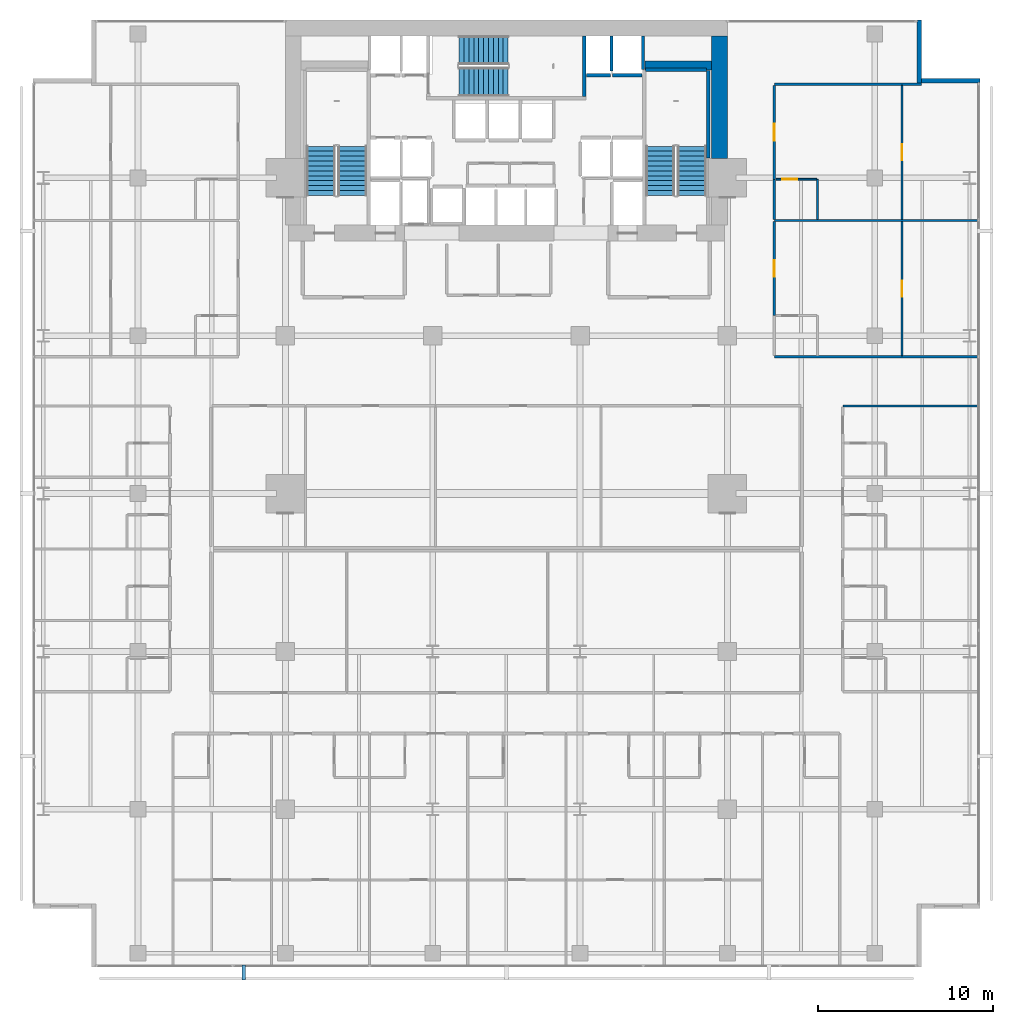
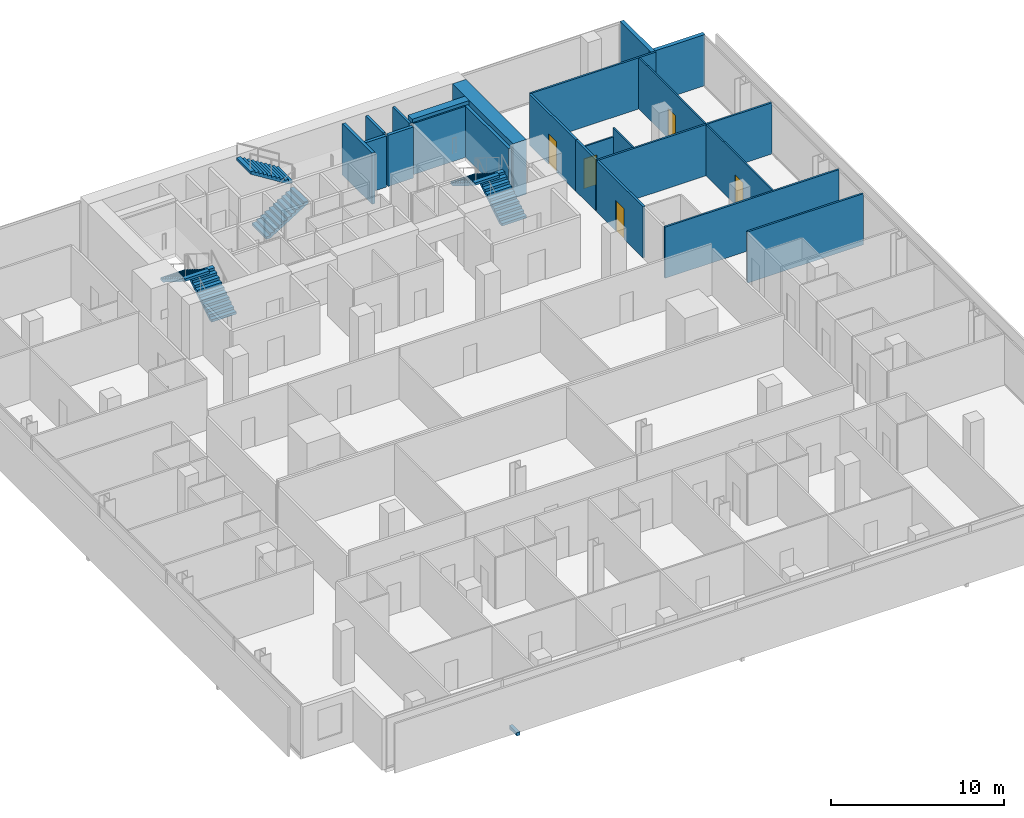
# One storey, part 38 of 41: 22 walls, 6 stair flights, 5 doors, 1 discrete accessory, 5 openings, 3 elements without a shape of their own.
"""IFC4 building model written with IfcOpenShell, lengths in metres."""

from ifc_helpers import new_model, si_unit, direction, frame, frame_2d, origin, origin_2d, place, context, subcontext, project, spatial, polyline, rectangle, outline, extrude, material, layer, layer_set, type_object, element, fill, aggregate, save


model = new_model("IFC4")

# Units and contexts
model_context = context("Model", 3, precision=1e-05, world=origin(), true_north=direction((0.0, 1.0)))
body_context = subcontext(model_context, "Body", "Model", "MODEL_VIEW")
ifc_project = project(units=[si_unit("LENGTHUNIT", "METRE"), si_unit("AREAUNIT", "SQUARE_METRE"), si_unit("VOLUMEUNIT", "CUBIC_METRE"), si_unit("PLANEANGLEUNIT", "RADIAN"), si_unit("MASSUNIT", "GRAM", prefix="KILO")], contexts=[model_context])

# Site, building, storey
site_placement = place(None, origin())
site = spatial("IfcSite", under=ifc_project, at=site_placement, CompositionType="ELEMENT")
building_placement = place(site_placement, origin())
building = spatial("IfcBuilding", under=site, at=building_placement, Name="Maruvema Waterfront Hotel and Observation Tower", CompositionType="ELEMENT")
storey_placement = place(building_placement, frame((0.0, 0.0, 61.60009765625)))
storey = spatial("IfcBuildingStorey", under=building, at=storey_placement, Name="L14", CompositionType="ELEMENT", Elevation=61.60009765625)

# Wall, opening, door
ifc_material_1 = material(Name="Twin-stud acoustic gypsum drywall", Category="gypsum")
ifc_layer_1 = layer(ifc_material_1, 0.14990234375, Name="Acoustic Corridor and Suite Demising Wall 150 mm")
ifc_layer_set_1 = layer_set([ifc_layer_1], Name="Twin-stud acoustic gypsum drywall")
wall_type_1 = type_object("IfcWallType", Name="Acoustic Corridor and Suite Demising Wall 150 mm", PredefinedType="PARTITIONING", material=ifc_layer_set_1)
wall_1_placement = place(storey_placement, frame((53.080078125, 37.14990234375, 0.0), z_axis=(0.0, 0.0, 1.0), x_axis=(0.0, 1.0, 0.0)))
wall_1 = element("IfcWall", 1, at=wall_1_placement, inside=storey, type_object=wall_type_1, Name="L14 Room L14-NE1 Corridor Wall 134", PredefinedType="PARTITIONING", context=body_context, shape_type="SweptSolid", body=[
    extrude(rectangle(XDim=5.35888671875, YDim=0.14990234375, at=frame_2d((2.679443359375, 0.0))), origin(), (0.0, 0.0, 1.0), 3.60986328125),
])
opening_1_placement = place(wall_1_placement, frame((2.204345703125, 0.0, 0.0)))
opening_1 = element("IfcOpeningElement", 2, at=opening_1_placement, cuts=wall_1, Name="Opening DR-095", PredefinedType="OPENING", context=body_context, shape_type="SweptSolid", body=[
    extrude(rectangle(XDim=0.949951171875, YDim=2.14990234375, at=frame_2d((0.47509765625, 1.074951171875))), frame((0.0, 0.0849609375, 0.0), z_axis=(0.0, -1.0, 0.0), x_axis=(1.0, 0.0, 0.0)), (0.0, 0.0, 1.0), 0.169921875),
])
ifc_material_2 = material(Name="Acoustic solid-core hardwood timber leaf", Category="wood")
door_type_1 = type_object("IfcDoorType", Name="Guestroom Entrance Fire Door 950x2150 mm", OperationType="NOTDEFINED", PredefinedType="DOOR", material=ifc_material_2)
door_1_placement = place(opening_1_placement, frame((0.949951171875, 0.0, 0.0), z_axis=(0.0, 0.0, 1.0), x_axis=(-1.0, 0.0, 0.0)))
door_1 = element("IfcDoor", 3, at=door_1_placement, inside=storey, type_object=door_type_1, Name="L14 Room L14-NE1 Entrance Door", OperationType="SINGLE_SWING_LEFT", OverallHeight=2.14990234375, OverallWidth=0.949951171875, PredefinedType="DOOR", context=body_context, shape_type="SweptSolid", body=[
    extrude(rectangle(XDim=0.949951171875, YDim=2.14990234375, at=frame_2d((0.47509765625, 1.074951171875))), frame((0.0, 0.02490234375, 0.0), z_axis=(0.0, -1.0, 0.0), x_axis=(1.0, 0.0, 0.0)), (0.0, 0.0, 1.0), 0.050048828125),
])
fill(opening_1, door_1)

# Wall
wall_2_placement = place(storey_placement, frame((53.080078125, 42.628662109375, 0.0), z_axis=(0.0, 0.0, 1.0), x_axis=(0.0, 1.0, 0.0)))
element("IfcWall", 4, at=wall_2_placement, inside=storey, type_object=wall_type_1, Name="L14 Bath L14-NE2 Wall 145", PredefinedType="PARTITIONING", context=body_context, shape_type="SweptSolid", body=[
    extrude(rectangle(XDim=2.2900390625, YDim=0.14990234375, at=frame_2d((1.14501953125, 0.0))), origin(), (0.0, 0.0, 1.0), 3.60986328125),
])

# Wall, opening, door
wall_3_placement = place(storey_placement, frame((53.080078125, 44.918701171875, 0.0), z_axis=(0.0, 0.0, 1.0), x_axis=(0.0, 1.0, 0.0)))
wall_3 = element("IfcWall", 5, at=wall_3_placement, inside=storey, type_object=wall_type_1, Name="L14 Room L14-NE2 Corridor Wall 146", PredefinedType="PARTITIONING", context=body_context, shape_type="SweptSolid", body=[
    extrude(rectangle(XDim=5.35888671875, YDim=0.14990234375, at=frame_2d((2.679443359375, 0.0))), origin(), (0.0, 0.0, 1.0), 3.60986328125),
])
opening_2_placement = place(wall_3_placement, frame((2.204345703125, 0.0, 0.0)))
opening_2 = element("IfcOpeningElement", 6, at=opening_2_placement, cuts=wall_3, Name="Opening DR-095", PredefinedType="OPENING", context=body_context, shape_type="SweptSolid", body=[
    extrude(rectangle(XDim=0.949951171875, YDim=2.14990234375, at=frame_2d((0.47509765625, 1.074951171875))), frame((0.0, 0.0849609375, 0.0), z_axis=(0.0, -1.0, 0.0), x_axis=(1.0, 0.0, 0.0)), (0.0, 0.0, 1.0), 0.169921875),
])
door_2_placement = place(opening_2_placement, frame((0.949951171875, 0.0, 0.0), z_axis=(0.0, 0.0, 1.0), x_axis=(-1.0, 0.0, 0.0)))
door_2 = element("IfcDoor", 7, at=door_2_placement, inside=storey, type_object=door_type_1, Name="L14 Room L14-NE2 Entrance Door", OperationType="SINGLE_SWING_LEFT", OverallHeight=2.14990234375, OverallWidth=0.949951171875, PredefinedType="DOOR", context=body_context, shape_type="SweptSolid", body=[
    extrude(rectangle(XDim=0.949951171875, YDim=2.14990234375, at=frame_2d((0.47509765625, 1.074951171875))), frame((0.0, 0.02490234375, 0.0), z_axis=(0.0, -1.0, 0.0), x_axis=(1.0, 0.0, 0.0)), (0.0, 0.0, 1.0), 0.050048828125),
])
fill(opening_2, door_2)

# Walls
ifc_material_3 = material(Name="Precast concrete C45/55", Category="concrete")
ifc_layer_2 = layer(ifc_material_3, 0.199951171875, Name="Core Shaft and Stairwell Enclosure Wall 200 mm")
ifc_layer_set_2 = layer_set([ifc_layer_2], Name="Precast concrete C45/55")
wall_type_2 = type_object("IfcWallType", Name="Core Shaft and Stairwell Enclosure Wall 200 mm", PredefinedType="SOLIDWALL", material=ifc_layer_set_2)
wall_4_placement = place(storey_placement, frame((42.25, 49.64990234375, 0.0), z_axis=(0.0, 0.0, 1.0), x_axis=(0.0, 1.0, 0.0)))
element("IfcWall", 8, at=wall_4_placement, inside=storey, type_object=wall_type_2, Name="L14 Stairwell ST-02 Shaft Wall", PredefinedType="SOLIDWALL", context=body_context, shape_type="SweptSolid", body=[
    extrude(rectangle(XDim=3.4501953125, YDim=0.199951171875, at=frame_2d((1.72509765625, 0.0))), origin(), (0.0, 0.0, 1.0), 3.60986328125),
])
wall_5_placement = place(storey_placement, frame((49.300048828125, 46.1201171875, 0.0), z_axis=(0.0, 0.0, 1.0), x_axis=(0.0, 1.0, 0.0)))
element("IfcWall", 9, at=wall_5_placement, inside=storey, type_object=wall_type_2, Name="L14 Stairwell ST-03 Shaft Lining Wall", PredefinedType="SOLIDWALL", context=body_context, shape_type="SweptSolid", body=[
    extrude(rectangle(XDim=5.0, YDim=0.199951171875, at=frame_2d((2.5, 0.0))), origin(), (0.0, 0.0, 1.0), 3.60986328125),
])
wall_6_placement = place(storey_placement, frame((45.719970703125, 51.14990234375, 0.0), z_axis=(0.0, 0.0, 1.0), x_axis=(1.0, 0.0, 0.0)))
element("IfcWall", 10, at=wall_6_placement, inside=storey, type_object=wall_type_2, Name="L14 Stairwell ST-03 Shaft Lining Wall", PredefinedType="SOLIDWALL", context=body_context, shape_type="SweptSolid", body=[
    extrude(rectangle(XDim=3.5, YDim=0.199951171875, at=frame_2d((1.75, 0.0))), origin(), (0.0, 0.0, 1.0), 3.60986328125),
])
wall_7_placement = place(storey_placement, frame((42.360107421875, 50.85009765625, 0.0), z_axis=(0.0, 0.0, 1.0), x_axis=(1.0, 0.0, 0.0)))
element("IfcWall", 11, at=wall_7_placement, inside=storey, type_object=wall_type_2, Name="L14 Lift LF-07 Hoistway Front Wall", PredefinedType="SOLIDWALL", context=body_context, shape_type="SweptSolid", body=[
    extrude(rectangle(XDim=1.3798828125, YDim=0.199951171875, at=frame_2d((0.68994140625, 0.0))), origin(), (0.0, 0.0, 1.0), 3.60986328125),
])
wall_8_placement = place(storey_placement, frame((43.860107421875, 50.85009765625, 0.0), z_axis=(0.0, 0.0, 1.0), x_axis=(1.0, 0.0, 0.0)))
element("IfcWall", 12, at=wall_8_placement, inside=storey, type_object=wall_type_2, Name="L14 Lift LF-08 Hoistway Front Wall", PredefinedType="SOLIDWALL", context=body_context, shape_type="SweptSolid", body=[
    extrude(rectangle(XDim=1.679931640625, YDim=0.199951171875, at=frame_2d((0.83984375, 0.0))), origin(), (0.0, 0.0, 1.0), 3.60986328125),
])
ifc_material_4 = material(Name="Concrete C70/85", Category="concrete")
ifc_layer_3 = layer(ifc_material_4, 0.5, Name="Core Shear Wall 500 mm")
ifc_layer_set_3 = layer_set([ifc_layer_3], Name="Concrete C70/85")
wall_type_3 = type_object("IfcWallType", Name="Core Shear Wall 500 mm", PredefinedType="SHEAR", material=ifc_layer_set_3)
wall_9_placement = place(storey_placement, frame((45.699951171875, 51.39990234375, 0.0), z_axis=(0.0, 0.0, 1.0), x_axis=(1.0, 0.0, 0.0)))
element("IfcWall", 13, at=wall_9_placement, inside=storey, type_object=wall_type_3, Name="L14 Internal Core Shear Wall NE 500 mm", PredefinedType="SHEAR", context=body_context, shape_type="SweptSolid", body=[
    extrude(rectangle(XDim=3.800048828125, YDim=0.5, at=frame_2d((1.89990234375, 0.0))), origin(), (0.0, 0.0, 1.0), 3.849853515625),
])
ifc_material_5 = material(Name="Concrete C80/95", Category="concrete")
ifc_layer_4 = layer(ifc_material_5, 0.89990234375, Name="Core Shear Wall 900 mm")
ifc_layer_set_4 = layer_set([ifc_layer_4], Name="Concrete C80/95")
wall_type_4 = type_object("IfcWallType", Name="Core Shear Wall 900 mm", PredefinedType="SHEAR", material=ifc_layer_set_4)
wall_10_placement = place(storey_placement, frame((49.949951171875, 46.10009765625, 0.0), z_axis=(0.0, 0.0, 1.0), x_axis=(0.0, 1.0, 0.0)))
element("IfcWall", 14, at=wall_10_placement, inside=storey, type_object=wall_type_4, Name="L14 East-North Core Shear Wall", PredefinedType="SHEAR", context=body_context, shape_type="SweptSolid", body=[
    extrude(rectangle(XDim=7.0, YDim=0.89990234375, at=frame_2d((3.5, 0.0))), origin(), (0.0, 0.0, 1.0), 3.849853515625),
])

# Wall, opening, door
ifc_material_6 = material(Name="Moisture-resistant cement-board drywall", Category="gypsum")
ifc_layer_5 = layer(ifc_material_6, 0.10009765625, Name="En-Suite Moisture-Resistant Partition 100 mm")
ifc_layer_set_5 = layer_set([ifc_layer_5], Name="Moisture-resistant cement-board drywall")
wall_type_5 = type_object("IfcWallType", Name="En-Suite Moisture-Resistant Partition 100 mm", PredefinedType="PARTITIONING", material=ifc_layer_set_5)
wall_11_placement = place(storey_placement, frame((60.350341796875, 34.860107421875, 0.0), z_axis=(0.0, 0.0, 1.0), x_axis=(0.0, 1.0, 0.0)))
wall_11 = element("IfcWall", 15, at=wall_11_placement, inside=storey, type_object=wall_type_5, Name="L14 Suite L14-NE1 Split 137", PredefinedType="PARTITIONING", context=body_context, shape_type="SweptSolid", body=[
    extrude(rectangle(XDim=7.648681640625, YDim=0.10009765625, at=frame_2d((3.82421875, 0.0))), origin(), (0.0, 0.0, 1.0), 3.60986328125),
])
opening_3_placement = place(wall_11_placement, frame((3.374267578125, 0.0, 0.0)))
opening_3 = element("IfcOpeningElement", 16, at=opening_3_placement, cuts=wall_11, Name="Opening DR-090", PredefinedType="OPENING", context=body_context, shape_type="SweptSolid", body=[
    extrude(rectangle(XDim=0.89990234375, YDim=2.10009765625, at=frame_2d((0.449951171875, 1.050048828125))), frame((0.0, 0.06005859375, 0.0), z_axis=(0.0, -1.0, 0.0), x_axis=(1.0, 0.0, 0.0)), (0.0, 0.0, 1.0), 0.1201171875),
])
ifc_material_7 = material(Name="Solid-core lacquered timber leaf", Category="wood")
door_type_2 = type_object("IfcDoorType", Name="Accessible Toilet and Room Door 900x2100 mm", OperationType="NOTDEFINED", PredefinedType="DOOR", material=ifc_material_7)
door_3_placement = place(opening_3_placement, frame((0.89990234375, 0.0, 0.0), z_axis=(0.0, 0.0, 1.0), x_axis=(-1.0, 0.0, 0.0)))
door_3 = element("IfcDoor", 17, at=door_3_placement, inside=storey, type_object=door_type_2, Name="L14 Suite L14-NE1 Bedroom Door", OperationType="SINGLE_SWING_RIGHT", OverallHeight=2.10009765625, OverallWidth=0.89990234375, PredefinedType="DOOR", context=body_context, shape_type="SweptSolid", body=[
    extrude(rectangle(XDim=0.89990234375, YDim=2.10009765625, at=frame_2d((0.449951171875, 1.050048828125))), frame((0.0, 0.02490234375, 0.0), z_axis=(0.0, -1.0, 0.0), x_axis=(1.0, 0.0, 0.0)), (0.0, 0.0, 1.0), 0.050048828125),
])
fill(opening_3, door_3)

# Wall
wall_12_placement = place(storey_placement, frame((55.530029296875, 42.628662109375, 0.0), z_axis=(0.0, 0.0, 1.0), x_axis=(0.0, 1.0, 0.0)))
element("IfcWall", 18, at=wall_12_placement, inside=storey, type_object=wall_type_5, Name="L14 En-Suite L14-NE2 E 147", PredefinedType="PARTITIONING", context=body_context, shape_type="SweptSolid", body=[
    extrude(rectangle(XDim=2.2900390625, YDim=0.10009765625, at=frame_2d((1.14501953125, 0.0))), origin(), (0.0, 0.0, 1.0), 3.60986328125),
])

# Wall, opening, door
wall_13_placement = place(storey_placement, frame((53.179931640625, 44.918701171875, 0.0), z_axis=(0.0, 0.0, 1.0), x_axis=(1.0, 0.0, 0.0)))
wall_13 = element("IfcWall", 19, at=wall_13_placement, inside=storey, type_object=wall_type_5, Name="L14 En-Suite L14-NE2 N 148", PredefinedType="PARTITIONING", context=body_context, shape_type="SweptSolid", body=[
    extrude(rectangle(XDim=2.300048828125, YDim=0.10009765625, at=frame_2d((1.14990234375, 0.0))), origin(), (0.0, 0.0, 1.0), 2.98779296875),
])
opening_4_placement = place(wall_13_placement, frame((0.35009765625, 0.0, 0.0)))
opening_4 = element("IfcOpeningElement", 20, at=opening_4_placement, cuts=wall_13, Name="Opening DR-085", PredefinedType="OPENING", context=body_context, shape_type="SweptSolid", body=[
    extrude(rectangle(XDim=0.85009765625, YDim=2.10009765625, at=frame_2d((0.425048828125, 1.050048828125))), frame((0.0, 0.06005859375, 0.0), z_axis=(0.0, -1.0, 0.0), x_axis=(1.0, 0.0, 0.0)), (0.0, 0.0, 1.0), 0.1201171875),
])
ifc_material_8 = material(Name="Moisture-resistant solid timber leaf", Category="wood")
door_type_3 = type_object("IfcDoorType", Name="En-Suite Bathroom Door 850x2100 mm", OperationType="NOTDEFINED", PredefinedType="DOOR", material=ifc_material_8)
door_4_placement = place(opening_4_placement, origin())
door_4 = element("IfcDoor", 21, at=door_4_placement, inside=storey, type_object=door_type_3, Name="L14 En-Suite L14-NE2 Door", OperationType="SINGLE_SWING_RIGHT", OverallHeight=2.10009765625, OverallWidth=0.85009765625, PredefinedType="DOOR", context=body_context, shape_type="SweptSolid", body=[
    extrude(rectangle(XDim=0.85009765625, YDim=2.10009765625, at=frame_2d((0.425048828125, 1.050048828125))), frame((0.0, 0.02490234375, 0.0), z_axis=(0.0, -1.0, 0.0), x_axis=(1.0, 0.0, 0.0)), (0.0, 0.0, 1.0), 0.050048828125),
])
fill(opening_4, door_4)

wall_14_placement = place(storey_placement, frame((60.350341796875, 42.628662109375, 0.0), z_axis=(0.0, 0.0, 1.0), x_axis=(0.0, 1.0, 0.0)))
wall_14 = element("IfcWall", 22, at=wall_14_placement, inside=storey, type_object=wall_type_5, Name="L14 Suite L14-NE2 Split 149", PredefinedType="PARTITIONING", context=body_context, shape_type="SweptSolid", body=[
    extrude(rectangle(XDim=7.64892578125, YDim=0.10009765625, at=frame_2d((3.824462890625, 0.0))), origin(), (0.0, 0.0, 1.0), 3.60986328125),
])
opening_5_placement = place(wall_14_placement, frame((3.37451171875, 0.0, 0.0)))
opening_5 = element("IfcOpeningElement", 23, at=opening_5_placement, cuts=wall_14, Name="Opening DR-090", PredefinedType="OPENING", context=body_context, shape_type="SweptSolid", body=[
    extrude(rectangle(XDim=0.89990234375, YDim=2.10009765625, at=frame_2d((0.449951171875, 1.050048828125))), frame((0.0, 0.06005859375, 0.0), z_axis=(0.0, -1.0, 0.0), x_axis=(1.0, 0.0, 0.0)), (0.0, 0.0, 1.0), 0.1201171875),
])
door_5_placement = place(opening_5_placement, frame((0.89990234375, 0.0, 0.0), z_axis=(0.0, 0.0, 1.0), x_axis=(-1.0, 0.0, 0.0)))
door_5 = element("IfcDoor", 24, at=door_5_placement, inside=storey, type_object=door_type_2, Name="L14 Suite L14-NE2 Bedroom Door", OperationType="SINGLE_SWING_RIGHT", OverallHeight=2.10009765625, OverallWidth=0.89990234375, PredefinedType="DOOR", context=body_context, shape_type="SweptSolid", body=[
    extrude(rectangle(XDim=0.89990234375, YDim=2.10009765625, at=frame_2d((0.449951171875, 1.050048828125))), frame((0.0, 0.02490234375, 0.0), z_axis=(0.0, -1.0, 0.0), x_axis=(1.0, 0.0, 0.0)), (0.0, 0.0, 1.0), 0.050048828125),
])
fill(opening_5, door_5)

# Walls
ifc_material_9 = material(Name="Precast concrete C45/55 with honed Pernambuco granite facing", Category="masonry")
ifc_layer_6 = layer(ifc_material_9, 0.260009765625, Name="Exterior Granite Clad Spandrel and Pier Wall 260 mm")
ifc_layer_set_6 = layer_set([ifc_layer_6], Name="Precast concrete C45/55 with honed Pernambuco granite facing")
wall_type_6 = type_object("IfcWallType", Name="Exterior Granite Clad Spandrel and Pier Wall 260 mm", PredefinedType="SOLIDWALL", material=ifc_layer_set_6)
for number, where, z_axis, x_axis, name in (
    (25, (61.330078125, 54.0, 0.0), (0.0, 0.0, 1.0), (0.0, -1.0, 0.0), "L14 Corner Notch Granite Pier Wall NE1"),
    (26, (61.199951171875, 50.530029296875, 0.0), (0.0, 0.0, 1.0), (1.0, 0.0, 0.0), "L14 Corner Notch Granite Pier Wall NE2"),
):
    element("IfcWall", number, at=place(storey_placement, frame(where, z_axis=z_axis, x_axis=x_axis)), inside=storey, type_object=wall_type_6, Name=name, PredefinedType="SOLIDWALL", context=body_context, shape_type="SweptSolid", body=[
        extrude(rectangle(XDim=3.60009765625, YDim=0.260009765625, at=frame_2d((1.800048828125, 0.0))), origin(), (0.0, 0.0, 1.0), 3.60986328125),
    ])
ifc_material_10 = material(Name="Acoustic gypsum plasterboard drywall", Category="gypsum")
ifc_layer_7 = layer(ifc_material_10, 0.125, Name="Guestroom Acoustic Demising Wall 125 mm")
ifc_layer_set_7 = layer_set([ifc_layer_7], Name="Acoustic gypsum plasterboard drywall")
wall_type_7 = type_object("IfcWallType", Name="Guestroom Acoustic Demising Wall 125 mm", PredefinedType="PARTITIONING", material=ifc_layer_set_7)
wall_15_placement = place(storey_placement, frame((56.97998046875, 32.0, 0.0), z_axis=(0.0, 0.0, 1.0), x_axis=(1.0, 0.0, 0.0)))
element("IfcWall", 27, at=wall_15_placement, inside=storey, type_object=wall_type_7, Name="L14 E Top End 085", PredefinedType="PARTITIONING", context=body_context, shape_type="SweptSolid", body=[
    extrude(rectangle(XDim=7.719970703125, YDim=0.125, at=frame_2d((3.85986328125, 0.0))), origin(), (0.0, 0.0, 1.0), 3.60986328125),
])
wall_16_placement = place(storey_placement, frame((53.080078125, 34.800048828125, 0.0), z_axis=(0.0, 0.0, 1.0), x_axis=(1.0, 0.0, 0.0)))
element("IfcWall", 28, at=wall_16_placement, inside=storey, type_object=wall_type_7, Name="L14 NE Bot End 125", PredefinedType="PARTITIONING", context=body_context, shape_type="SweptSolid", body=[
    extrude(rectangle(XDim=11.619873046875, YDim=0.125, at=frame_2d((5.81005859375, 0.0))), origin(), (0.0, 0.0, 1.0), 3.60986328125),
])
wall_17_placement = place(storey_placement, frame((53.080078125, 50.33740234375, 0.0), z_axis=(0.0, 0.0, 1.0), x_axis=(1.0, 0.0, 0.0)))
element("IfcWall", 29, at=wall_17_placement, inside=storey, type_object=wall_type_7, Name="L14 NE Top End 127", PredefinedType="PARTITIONING", context=body_context, shape_type="SweptSolid", body=[
    extrude(rectangle(XDim=8.3798828125, YDim=0.125, at=frame_2d((4.18994140625, 0.0))), origin(), (0.0, 0.0, 1.0), 3.60986328125),
])
wall_18_placement = place(storey_placement, frame((53.080078125, 42.568603515625, 0.0), z_axis=(0.0, 0.0, 1.0), x_axis=(1.0, 0.0, 0.0)))
element("IfcWall", 30, at=wall_18_placement, inside=storey, type_object=wall_type_7, Name="L14 NE Demising 2 139", PredefinedType="PARTITIONING", context=body_context, shape_type="SweptSolid", body=[
    extrude(rectangle(XDim=11.619873046875, YDim=0.125, at=frame_2d((5.81005859375, 0.0))), origin(), (0.0, 0.0, 1.0), 3.60986328125),
])
ifc_material_11 = material(Name="Precast concrete C45/55", Category="concrete")
ifc_layer_8 = layer(ifc_material_11, 0.159912109375, Name="Lift Hoistway Divider Wall 160 mm")
ifc_layer_set_8 = layer_set([ifc_layer_8], Name="Precast concrete C45/55")
wall_type_8 = type_object("IfcWallType", Name="Lift Hoistway Divider Wall 160 mm", PredefinedType="SOLIDWALL", material=ifc_layer_set_8)
wall_19_placement = place(storey_placement, frame((45.590087890625, 51.179931640625, 0.0), z_axis=(0.0, 0.0, 1.0), x_axis=(0.0, 1.0, 0.0)))
element("IfcWall", 31, at=wall_19_placement, inside=storey, type_object=wall_type_8, Name="L14 Hoistway Divider Wall", PredefinedType="SOLIDWALL", context=body_context, shape_type="SweptSolid", body=[
    extrude(rectangle(XDim=1.920166015625, YDim=0.159912109375, at=frame_2d((0.9599609375, 0.0))), origin(), (0.0, 0.0, 1.0), 3.60986328125),
])
wall_20_placement = place(storey_placement, frame((43.800048828125, 51.10009765625, 0.0), z_axis=(0.0, 0.0, 1.0), x_axis=(0.0, 1.0, 0.0)))
element("IfcWall", 32, at=wall_20_placement, inside=storey, type_object=wall_type_8, Name="L14 Hoistway Divider Wall", PredefinedType="SOLIDWALL", context=body_context, shape_type="SweptSolid", body=[
    extrude(rectangle(XDim=2.0, YDim=0.159912109375, at=frame_2d((1.0, 0.0))), origin(), (0.0, 0.0, 1.0), 3.60986328125),
])

# Stair, stair flights
ifc_material_12 = material(Name="Concrete C50/60", Category="concrete")
stair_type = type_object("IfcStairType", Name="Dogleg Exit Stair 1650 mm (22R x 175.0 mm)", PredefinedType="HALF_TURN_STAIR", material=ifc_material_12)
stair_1_placement = place(storey_placement, origin())
stair_1 = element("IfcStair", 33, at=stair_1_placement, inside=storey, type_object=stair_type, Name="L14 ST-01", PredefinedType="HALF_TURN_STAIR")
ifc_material_13 = material(Name="Concrete C50/60", Category="concrete")
stair_flight_type = type_object("IfcStairFlightType", Name="Reinforced Concrete Stair Flight 1650 mm (11R x 175.0 mm)", PredefinedType="STRAIGHT", material=ifc_material_13)
stair_flight_1_placement = place(storey_placement, frame((29.02490234375, 44.0, 0.0), z_axis=(0.0, 0.0, 1.0), x_axis=(0.0, 1.0, 0.0)))
stair_flight_1 = element("IfcStairFlight", 34, at=stair_flight_1_placement, type_object=stair_flight_type, Name="ST-01 flight 1", NumberOfRisers=11, NumberOfTreads=10, PredefinedType="STRAIGHT", RiserHeight=0.175, TreadLength=0.28, context=body_context, shape_type="SweptSolid", body=[
    extrude(outline(polyline([(0.0, 0.0), (0.0, 0.175048828125), (0.280029296875, 0.175048828125), (0.280029296875, 0.35009765625), (0.56005859375, 0.35009765625), (0.56005859375, 0.52490234375), (0.840087890625, 0.52490234375), (0.840087890625, 0.699951171875), (1.1201171875, 0.699951171875), (1.1201171875, 0.875), (1.39990234375, 0.875), (1.39990234375, 1.050048828125), (1.679931640625, 1.050048828125), (1.679931640625, 1.22509765625), (1.9599609375, 1.22509765625), (1.9599609375, 1.39990234375), (2.239990234375, 1.39990234375), (2.239990234375, 1.574951171875), (2.52001953125, 1.574951171875), (2.52001953125, 1.75), (2.800048828125, 1.75), (2.800048828125, 1.925048828125), (2.800048828125, 1.5732421875), (0.28271484375, 0.0), (0.0, 0.0)])), frame((0.0, 0.824951171875, 0.0), z_axis=(0.0, -1.0, 0.0), x_axis=(1.0, 0.0, 0.0)), (0.0, 0.0, 1.0), 1.64990234375),
])
stair_flight_2_placement = place(storey_placement, frame((27.22509765625, 46.800048828125, 1.9248046875), z_axis=(0.0, 0.0, 1.0), x_axis=(0.0, -1.0, 0.0)))
stair_flight_2 = element("IfcStairFlight", 35, at=stair_flight_2_placement, type_object=stair_flight_type, Name="ST-01 flight 2", NumberOfRisers=11, NumberOfTreads=10, PredefinedType="STRAIGHT", RiserHeight=0.175, TreadLength=0.28, context=body_context, shape_type="SweptSolid", body=[
    extrude(outline(polyline([(0.0, 0.0), (0.0, 0.175048828125), (0.280029296875, 0.175048828125), (0.280029296875, 0.35009765625), (0.56005859375, 0.35009765625), (0.56005859375, 0.52490234375), (0.840087890625, 0.52490234375), (0.840087890625, 0.699951171875), (1.1201171875, 0.699951171875), (1.1201171875, 0.875), (1.39990234375, 0.875), (1.39990234375, 1.050048828125), (1.679931640625, 1.050048828125), (1.679931640625, 1.22509765625), (1.9599609375, 1.22509765625), (1.9599609375, 1.39990234375), (2.239990234375, 1.39990234375), (2.239990234375, 1.574951171875), (2.52001953125, 1.574951171875), (2.52001953125, 1.75), (2.800048828125, 1.75), (2.800048828125, 1.925048828125), (2.800048828125, 1.5732421875), (0.28271484375, 0.0), (0.0, 0.0)])), frame((0.0, 0.824951171875, 0.0), z_axis=(0.0, -1.0, 0.0), x_axis=(1.0, 0.0, 0.0)), (0.0, 0.0, 1.0), 1.64990234375),
])
aggregate(stair_1, [stair_flight_1, stair_flight_2])

stair_2_placement = place(storey_placement, origin())
stair_2 = element("IfcStair", 36, at=stair_2_placement, inside=storey, type_object=stair_type, Name="L14 ST-02", PredefinedType="HALF_TURN_STAIR")
stair_flight_3_placement = place(storey_placement, frame((35.10009765625, 50.47509765625, 0.0), z_axis=(0.0, 0.0, 1.0), x_axis=(1.0, 0.0, 0.0)))
stair_flight_3 = element("IfcStairFlight", 37, at=stair_flight_3_placement, type_object=stair_flight_type, Name="ST-02 flight 1", NumberOfRisers=11, NumberOfTreads=10, PredefinedType="STRAIGHT", RiserHeight=0.175, TreadLength=0.28, context=body_context, shape_type="SweptSolid", body=[
    extrude(outline(polyline([(0.0, 0.0), (0.0, 0.175048828125), (0.280029296875, 0.175048828125), (0.280029296875, 0.35009765625), (0.56005859375, 0.35009765625), (0.56005859375, 0.52490234375), (0.840087890625, 0.52490234375), (0.840087890625, 0.699951171875), (1.1201171875, 0.699951171875), (1.1201171875, 0.875), (1.39990234375, 0.875), (1.39990234375, 1.050048828125), (1.679931640625, 1.050048828125), (1.679931640625, 1.22509765625), (1.9599609375, 1.22509765625), (1.9599609375, 1.39990234375), (2.239990234375, 1.39990234375), (2.239990234375, 1.574951171875), (2.52001953125, 1.574951171875), (2.52001953125, 1.75), (2.800048828125, 1.75), (2.800048828125, 1.925048828125), (2.800048828125, 1.5732421875), (0.28271484375, 0.0), (0.0, 0.0)])), frame((0.0, 0.824951171875, 0.0), z_axis=(0.0, -1.0, 0.0), x_axis=(1.0, 0.0, 0.0)), (0.0, 0.0, 1.0), 1.64990234375),
])
stair_flight_4_placement = place(storey_placement, frame((37.89990234375, 52.27490234375, 1.9248046875), z_axis=(0.0, 0.0, 1.0), x_axis=(-1.0, 0.0, 0.0)))
stair_flight_4 = element("IfcStairFlight", 38, at=stair_flight_4_placement, type_object=stair_flight_type, Name="ST-02 flight 2", NumberOfRisers=11, NumberOfTreads=10, PredefinedType="STRAIGHT", RiserHeight=0.175, TreadLength=0.28, context=body_context, shape_type="SweptSolid", body=[
    extrude(outline(polyline([(0.0, 0.0), (0.0, 0.175048828125), (0.280029296875, 0.175048828125), (0.280029296875, 0.35009765625), (0.56005859375, 0.35009765625), (0.56005859375, 0.52490234375), (0.840087890625, 0.52490234375), (0.840087890625, 0.699951171875), (1.1201171875, 0.699951171875), (1.1201171875, 0.875), (1.39990234375, 0.875), (1.39990234375, 1.050048828125), (1.679931640625, 1.050048828125), (1.679931640625, 1.22509765625), (1.9599609375, 1.22509765625), (1.9599609375, 1.39990234375), (2.239990234375, 1.39990234375), (2.239990234375, 1.574951171875), (2.52001953125, 1.574951171875), (2.52001953125, 1.75), (2.800048828125, 1.75), (2.800048828125, 1.925048828125), (2.800048828125, 1.5732421875), (0.28271484375, 0.0), (0.0, 0.0)])), frame((0.0, 0.824951171875, 0.0), z_axis=(0.0, -1.0, 0.0), x_axis=(1.0, 0.0, 0.0)), (0.0, 0.0, 1.0), 1.64990234375),
])
aggregate(stair_2, [stair_flight_3, stair_flight_4])

stair_3_placement = place(storey_placement, origin())
stair_3 = element("IfcStair", 39, at=stair_3_placement, inside=storey, type_object=stair_type, Name="L14 ST-03", PredefinedType="HALF_TURN_STAIR")
stair_flight_5_placement = place(storey_placement, frame((48.375, 44.0, 0.0), z_axis=(0.0, 0.0, 1.0), x_axis=(0.0, 1.0, 0.0)))
stair_flight_5 = element("IfcStairFlight", 40, at=stair_flight_5_placement, type_object=stair_flight_type, Name="ST-03 flight 1", NumberOfRisers=11, NumberOfTreads=10, PredefinedType="STRAIGHT", RiserHeight=0.175, TreadLength=0.28, context=body_context, shape_type="SweptSolid", body=[
    extrude(outline(polyline([(0.0, 0.0), (0.0, 0.175048828125), (0.280029296875, 0.175048828125), (0.280029296875, 0.35009765625), (0.56005859375, 0.35009765625), (0.56005859375, 0.52490234375), (0.840087890625, 0.52490234375), (0.840087890625, 0.699951171875), (1.1201171875, 0.699951171875), (1.1201171875, 0.875), (1.39990234375, 0.875), (1.39990234375, 1.050048828125), (1.679931640625, 1.050048828125), (1.679931640625, 1.22509765625), (1.9599609375, 1.22509765625), (1.9599609375, 1.39990234375), (2.239990234375, 1.39990234375), (2.239990234375, 1.574951171875), (2.52001953125, 1.574951171875), (2.52001953125, 1.75), (2.800048828125, 1.75), (2.800048828125, 1.925048828125), (2.800048828125, 1.5732421875), (0.28271484375, 0.0), (0.0, 0.0)])), frame((0.0, 0.824951171875, 0.0), z_axis=(0.0, -1.0, 0.0), x_axis=(1.0, 0.0, 0.0)), (0.0, 0.0, 1.0), 1.64990234375),
])
stair_flight_6_placement = place(storey_placement, frame((46.574951171875, 46.800048828125, 1.9248046875), z_axis=(0.0, 0.0, 1.0), x_axis=(0.0, -1.0, 0.0)))
stair_flight_6 = element("IfcStairFlight", 41, at=stair_flight_6_placement, type_object=stair_flight_type, Name="ST-03 flight 2", NumberOfRisers=11, NumberOfTreads=10, PredefinedType="STRAIGHT", RiserHeight=0.175, TreadLength=0.28, context=body_context, shape_type="SweptSolid", body=[
    extrude(outline(polyline([(0.0, 0.0), (0.0, 0.175048828125), (0.280029296875, 0.175048828125), (0.280029296875, 0.35009765625), (0.56005859375, 0.35009765625), (0.56005859375, 0.52490234375), (0.840087890625, 0.52490234375), (0.840087890625, 0.699951171875), (1.1201171875, 0.699951171875), (1.1201171875, 0.875), (1.39990234375, 0.875), (1.39990234375, 1.050048828125), (1.679931640625, 1.050048828125), (1.679931640625, 1.22509765625), (1.9599609375, 1.22509765625), (1.9599609375, 1.39990234375), (2.239990234375, 1.39990234375), (2.239990234375, 1.574951171875), (2.52001953125, 1.574951171875), (2.52001953125, 1.75), (2.800048828125, 1.75), (2.800048828125, 1.925048828125), (2.800048828125, 1.5732421875), (0.28271484375, 0.0), (0.0, 0.0)])), frame((0.0, 0.824951171875, 0.0), z_axis=(0.0, -1.0, 0.0), x_axis=(1.0, 0.0, 0.0)), (0.0, 0.0, 1.0), 1.64990234375),
])
aggregate(stair_3, [stair_flight_5, stair_flight_6])

# Discrete accessory
ifc_material_14 = material(Name="Duplex stainless steel Grade 2205", Category="steel")
discrete_accessory_type = type_object("IfcDiscreteAccessoryType", Name="Double-Skin Cavity Stainless Outrigger Bracket", PredefinedType="BRACKET", material=ifc_material_14)
discrete_accessory_placement = place(storey_placement, frame((22.823974609375, -0.300048828125, -0.14013671875), z_axis=(0.0, 0.0, 1.0), x_axis=(1.0, 0.0, 0.0)))
element("IfcDiscreteAccessory", 42, at=discrete_accessory_placement, inside=storey, type_object=discrete_accessory_type, Name="L14 Outer Skin Support Bracket 1", PredefinedType="BRACKET", context=body_context, shape_type="SweptSolid", body=[
    extrude(rectangle(XDim=0.219970703125, YDim=0.860107421875, at=origin_2d()), origin(), (0.0, 0.0, 1.0), 0.239990234375),
])

save(model, "model.ifc")
